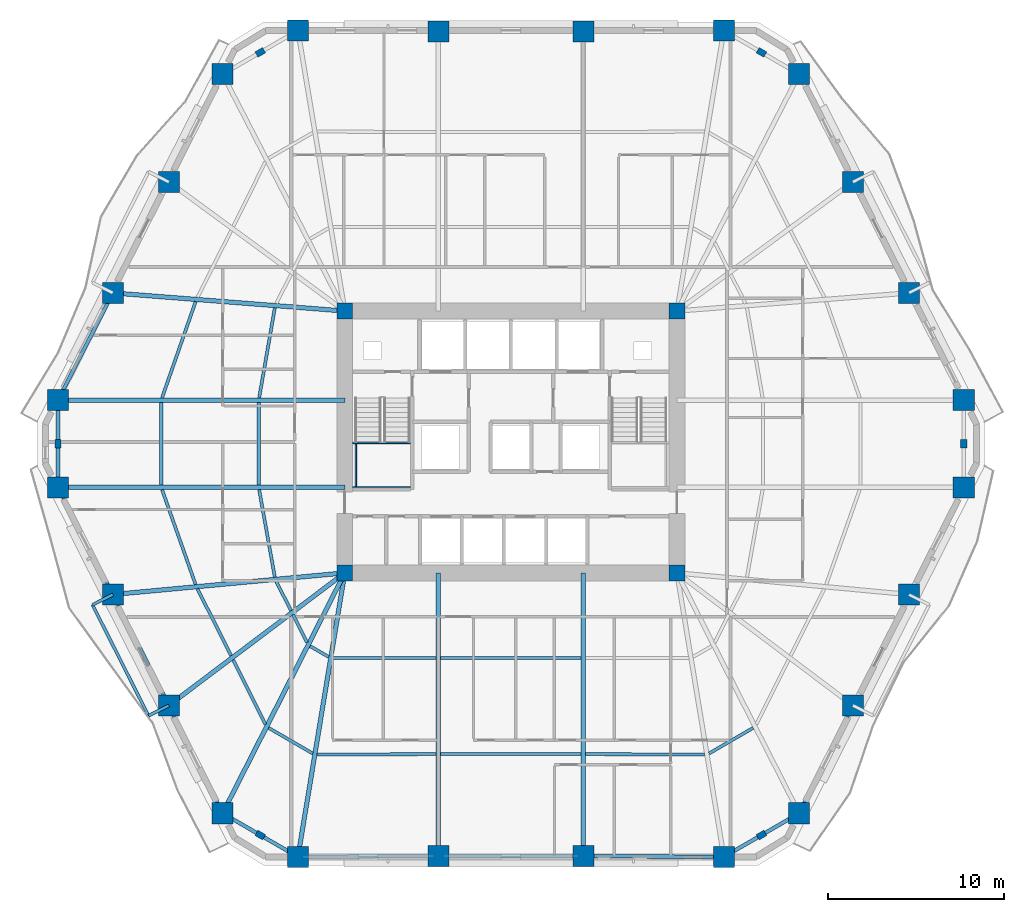
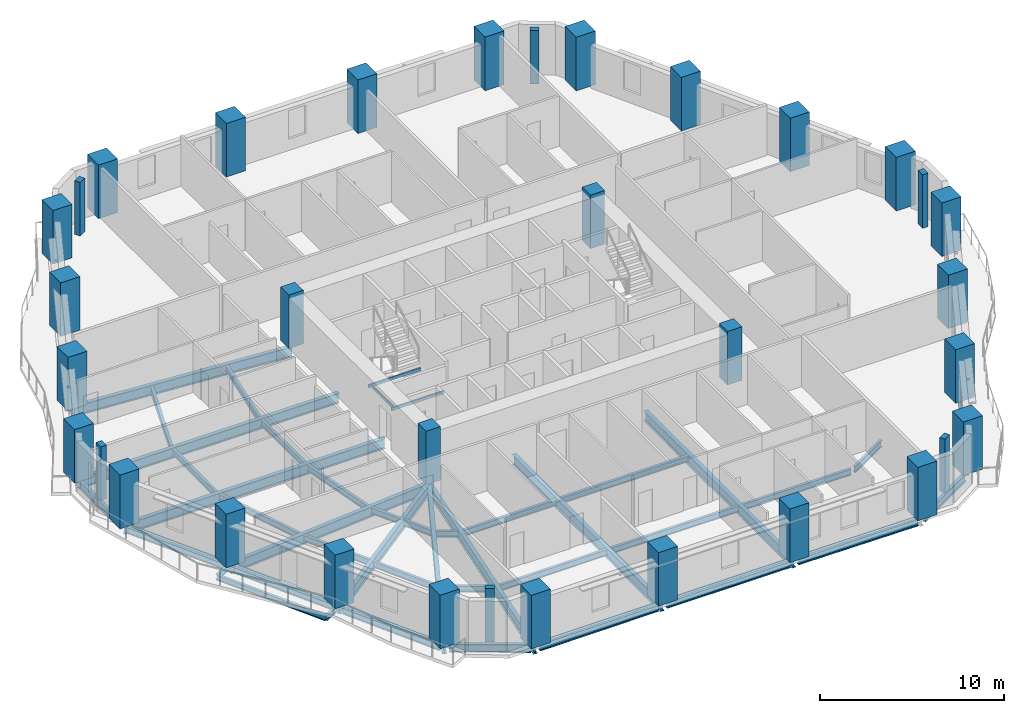
# One storey, part 1 of 14: 44 beams, 34 columns.
"""IFC4 building model written with IfcOpenShell, lengths in metres."""

from ifc_helpers import new_model, si_unit, direction, frame, origin, origin_2d, place, context, subcontext, project, spatial, rectangle, hollow_rectangle, i_section, extrude, material, material_profile, profile_set, type_object, element, save


model = new_model("IFC4")

# Units and contexts
model_context = context("Model", 3, precision=1e-05, world=origin(), true_north=direction((0.0, 1.0)))
body_context = subcontext(model_context, "Body", "Model", "MODEL_VIEW")
ifc_project = project(units=[si_unit("LENGTHUNIT", "METRE"), si_unit("AREAUNIT", "SQUARE_METRE"), si_unit("VOLUMEUNIT", "CUBIC_METRE"), si_unit("PLANEANGLEUNIT", "RADIAN"), si_unit("MASSUNIT", "GRAM", prefix="KILO")], contexts=[model_context])

# Site, building, storey
site_placement = place(None, origin())
site = spatial("IfcSite", under=ifc_project, at=site_placement, CompositionType="ELEMENT")
building_placement = place(site_placement, origin())
building = spatial("IfcBuilding", under=site, at=building_placement, Name="Cinnabar Lancet Tower", CompositionType="ELEMENT")
storey_placement = place(building_placement, frame((0.0, 0.0, 35.550048828125)))
storey = spatial("IfcBuildingStorey", under=building, at=storey_placement, Name="L08", CompositionType="ELEMENT", Elevation=35.550048828125)

# Columns
ifc_material_1 = material(Name="Concrete C80/95", Category="concrete")
ifc_material_profile_1 = material_profile(ifc_material_1, rectangle(XDim=0.89990234375, YDim=0.89990234375, at=origin_2d()), Name="RC-COL 900x900")
ifc_profile_set_1 = profile_set([ifc_material_profile_1], Name="Concrete C80/95")
column_type_1 = type_object("IfcColumnType", Name="STR-COL-CORE-900", PredefinedType="COLUMN", material=ifc_profile_set_1)
for number, where, z_axis, x_axis, name in (
    (1, (22.949951171875, 18.449951171875, 0.0), (0.0, 0.0, 1.0), (1.0, 0.0, 0.0), "L08 Core Corner Column SW"),
    (2, (41.85009765625, 18.449951171875, 0.0), (0.0, 0.0, 1.0), (1.0, 0.0, 0.0), "L08 Core Corner Column SE"),
    (3, (41.85009765625, 33.35009765625, 0.0), (0.0, 0.0, 1.0), (1.0, 0.0, 0.0), "L08 Core Corner Column NE"),
    (4, (22.949951171875, 33.35009765625, 0.0), (0.0, 0.0, 1.0), (1.0, 0.0, 0.0), "L08 Core Corner Column NW"),
):
    element("IfcColumn", number, at=place(storey_placement, frame(where, z_axis=z_axis, x_axis=x_axis)), inside=storey, type_object=column_type_1, Name=name, PredefinedType="COLUMN", context=body_context, shape_type="SweptSolid", body=[
        extrude(rectangle(XDim=0.89990234375, YDim=0.89990234375, at=origin_2d()), origin(), (0.0, 0.0, 1.0), 3.550048828125),
    ])
ifc_material_2 = material(Name="Concrete C60/75", Category="concrete")
ifc_material_profile_2 = material_profile(ifc_material_2, rectangle(XDim=0.5, YDim=0.35009765625, at=origin_2d()), Name="RC-PIL 500x350")
ifc_profile_set_2 = profile_set([ifc_material_profile_2], Name="Concrete C60/75")
column_type_2 = type_object("IfcColumnType", Name="STR-COL-PIL-500", PredefinedType="PILASTER", material=ifc_profile_set_2)
for number, where, z_axis, x_axis, name in (
    (5, (18.139892578125, 3.531005859375, 0.0), (0.0, 0.0, 1.0), (0.865195182343, -0.501435236546, 0.0), "L08 Chamfered Corner Pilaster 1"),
    (6, (46.659912109375, 3.531005859375, 0.0), (0.0, 0.0, 1.0), (0.865195182343, 0.501435236546, 0.0), "L08 Chamfered Corner Pilaster 2"),
    (7, (58.16796875, 25.800048828125, 0.0), (0.0, 0.0, 1.0), (0.0, 1.0, 0.0), "L08 Chamfered Corner Pilaster 3"),
    (8, (46.659912109375, 48.069091796875, 0.0), (0.0, 0.0, 1.0), (-0.865195182343, 0.501435236546, 0.0), "L08 Chamfered Corner Pilaster 4"),
    (9, (18.139892578125, 48.069091796875, 0.0), (0.0, 0.0, 1.0), (-0.865195182343, -0.501435236546, 0.0), "L08 Chamfered Corner Pilaster 5"),
    (10, (6.632080078125, 25.800048828125, 0.0), (0.0, 0.0, 1.0), (0.0, -1.0, 0.0), "L08 Chamfered Corner Pilaster 6"),
):
    element("IfcColumn", number, at=place(storey_placement, frame(where, z_axis=z_axis, x_axis=x_axis)), inside=storey, type_object=column_type_2, Name=name, PredefinedType="PILASTER", context=body_context, shape_type="SweptSolid", body=[
        extrude(rectangle(XDim=0.5, YDim=0.35009765625, at=origin_2d()), origin(), (0.0, 0.0, 1.0), 3.550048828125),
    ])
ifc_material_3 = material(Name="Concrete C80/95", Category="concrete")
ifc_material_profile_3 = material_profile(ifc_material_3, rectangle(XDim=1.199951171875, YDim=1.199951171875, at=origin_2d()), Name="RC-COL 1200x1200")
ifc_profile_set_3 = profile_set([ifc_material_profile_3], Name="Concrete C80/95")
column_type_3 = type_object("IfcColumnType", Name="STR-COL-TUBE-1200", PredefinedType="COLUMN", material=ifc_profile_set_3)
for number, where, z_axis, x_axis, name in (
    (11, (20.282958984375, 2.2890625, 0.0), (0.0, 0.0, 1.0), (1.0, 0.0, 0.0), "L08 Perimeter Tube Column 1"),
    (12, (28.278076171875, 2.342041015625, 0.0), (0.0, 0.0, 1.0), (1.0, 0.0, 0.0), "L08 Perimeter Tube Column 2"),
    (13, (36.52197265625, 2.342041015625, 0.0), (0.0, 0.0, 1.0), (1.0, 0.0, 0.0), "L08 Perimeter Tube Column 3"),
    (14, (44.51708984375, 2.2890625, 0.0), (0.0, 0.0, 1.0), (1.0, 0.0, 0.0), "L08 Perimeter Tube Column 4"),
    (15, (48.802978515625, 4.77294921875, 0.0), (0.0, 0.0, 1.0), (1.0, 0.0, 0.0), "L08 Perimeter Tube Column 5"),
    (16, (51.85888671875, 10.908935546875, 0.0), (0.0, 0.0, 1.0), (1.0, 0.0, 0.0), "L08 Perimeter Tube Column 6"),
    (17, (55.0458984375, 17.219970703125, 0.0), (0.0, 0.0, 1.0), (1.0, 0.0, 0.0), "L08 Perimeter Tube Column 7"),
    (18, (58.16796875, 23.31396484375, 0.0), (0.0, 0.0, 1.0), (1.0, 0.0, 0.0), "L08 Perimeter Tube Column 8"),
    (19, (58.16796875, 28.285888671875, 0.0), (0.0, 0.0, 1.0), (1.0, 0.0, 0.0), "L08 Perimeter Tube Column 9"),
    (20, (55.0458984375, 34.3798828125, 0.0), (0.0, 0.0, 1.0), (1.0, 0.0, 0.0), "L08 Perimeter Tube Column 10"),
    (21, (51.85888671875, 40.69091796875, 0.0), (0.0, 0.0, 1.0), (1.0, 0.0, 0.0), "L08 Perimeter Tube Column 11"),
    (22, (48.802978515625, 46.826904296875, 0.0), (0.0, 0.0, 1.0), (1.0, 0.0, 0.0), "L08 Perimeter Tube Column 12"),
    (23, (44.51708984375, 49.31103515625, 0.0), (0.0, 0.0, 1.0), (1.0, 0.0, 0.0), "L08 Perimeter Tube Column 13"),
    (24, (36.52197265625, 49.258056640625, 0.0), (0.0, 0.0, 1.0), (1.0, 0.0, 0.0), "L08 Perimeter Tube Column 14"),
    (25, (28.278076171875, 49.258056640625, 0.0), (0.0, 0.0, 1.0), (1.0, 0.0, 0.0), "L08 Perimeter Tube Column 15"),
    (26, (20.282958984375, 49.31103515625, 0.0), (0.0, 0.0, 1.0), (1.0, 0.0, 0.0), "L08 Perimeter Tube Column 16"),
    (27, (15.9970703125, 46.826904296875, 0.0), (0.0, 0.0, 1.0), (1.0, 0.0, 0.0), "L08 Perimeter Tube Column 17"),
    (28, (12.94091796875, 40.69091796875, 0.0), (0.0, 0.0, 1.0), (1.0, 0.0, 0.0), "L08 Perimeter Tube Column 18"),
    (29, (9.75390625, 34.3798828125, 0.0), (0.0, 0.0, 1.0), (1.0, 0.0, 0.0), "L08 Perimeter Tube Column 19"),
    (30, (6.632080078125, 28.285888671875, 0.0), (0.0, 0.0, 1.0), (1.0, 0.0, 0.0), "L08 Perimeter Tube Column 20"),
    (31, (6.632080078125, 23.31396484375, 0.0), (0.0, 0.0, 1.0), (1.0, 0.0, 0.0), "L08 Perimeter Tube Column 21"),
    (32, (9.75390625, 17.219970703125, 0.0), (0.0, 0.0, 1.0), (1.0, 0.0, 0.0), "L08 Perimeter Tube Column 22"),
    (33, (12.94091796875, 10.908935546875, 0.0), (0.0, 0.0, 1.0), (1.0, 0.0, 0.0), "L08 Perimeter Tube Column 23"),
    (34, (15.9970703125, 4.77294921875, 0.0), (0.0, 0.0, 1.0), (1.0, 0.0, 0.0), "L08 Perimeter Tube Column 24"),
):
    element("IfcColumn", number, at=place(storey_placement, frame(where, z_axis=z_axis, x_axis=x_axis)), inside=storey, type_object=column_type_3, Name=name, PredefinedType="COLUMN", context=body_context, shape_type="SweptSolid", body=[
        extrude(rectangle(XDim=1.199951171875, YDim=1.199951171875, at=origin_2d()), origin(), (0.0, 0.0, 1.0), 3.550048828125),
    ])

# Beams
ifc_material_4 = material(Name="Structural steel S355", Category="steel")
ifc_material_profile_4 = material_profile(ifc_material_4, i_section(OverallWidth=0.177978515625, OverallDepth=0.406494140625, WebThickness=0.0078125, FlangeThickness=0.0126953125, FilletRadius=0.01025390625, at=origin_2d()), Name="UKB 406x178x60")
ifc_profile_set_4 = profile_set([ifc_material_profile_4], Name="Structural steel S355")
beam_type_1 = type_object("IfcBeamType", Name="STR-BM-JST-406", PredefinedType="JOIST", material=ifc_profile_set_4)
beam_1_placement = place(storey_placement, frame((12.551025390625, 23.18701171875, -0.423095703125), z_axis=(0.333384030214, -0.942791115995, 0.0), x_axis=(0.942791115995, 0.333384030214, 0.0)))
element("IfcBeam", 35, at=beam_1_placement, inside=storey, type_object=beam_type_1, Name="L08 Secondary Floor Joist 1", PredefinedType="JOIST", context=body_context, shape_type="SweptSolid", body=[
    extrude(i_section(OverallWidth=0.177978515625, OverallDepth=0.406494140625, WebThickness=0.0078125, FlangeThickness=0.0126953125, FilletRadius=0.01025390625, at=origin_2d()), origin(), (0.0, 0.0, 1.0), 5.728759765625),
])
beam_2_placement = place(storey_placement, frame((18.076904296875, 23.18701171875, -0.423095703125), z_axis=(0.176294913937, -0.984337393031, 0.0), x_axis=(0.984337393031, 0.176294913937, 0.0)))
element("IfcBeam", 36, at=beam_2_placement, inside=storey, type_object=beam_type_1, Name="L08 Secondary Floor Joist 2", PredefinedType="JOIST", context=body_context, shape_type="SweptSolid", body=[
    extrude(i_section(OverallWidth=0.177978515625, OverallDepth=0.406494140625, WebThickness=0.0078125, FlangeThickness=0.0126953125, FilletRadius=0.01025390625, at=origin_2d()), origin(), (0.0, 0.0, 1.0), 5.060302734375),
])
beam_3_placement = place(storey_placement, frame((14.56591796875, 17.541015625, -0.423095703125), z_axis=(0.450809572228, -0.892620148545, 0.0), x_axis=(0.892620148545, 0.450809572228, 0.0)))
element("IfcBeam", 37, at=beam_3_placement, inside=storey, type_object=beam_type_1, Name="L08 Secondary Floor Joist 3", PredefinedType="JOIST", context=body_context, shape_type="SweptSolid", body=[
    extrude(i_section(OverallWidth=0.177978515625, OverallDepth=0.406494140625, WebThickness=0.0078125, FlangeThickness=0.0126953125, FilletRadius=0.01025390625, at=origin_2d()), origin(), (0.0, 0.0, 1.0), 4.25927734375),
])
beam_4_placement = place(storey_placement, frame((19.052978515625, 17.958984375, -0.423095703125), z_axis=(0.450632179195, -0.892709717139, 0.0), x_axis=(0.892709717139, 0.450632179195, 0.0)))
element("IfcBeam", 38, at=beam_4_placement, inside=storey, type_object=beam_type_1, Name="L08 Secondary Floor Joist 4", PredefinedType="JOIST", context=body_context, shape_type="SweptSolid", body=[
    extrude(i_section(OverallWidth=0.177978515625, OverallDepth=0.406494140625, WebThickness=0.0078125, FlangeThickness=0.0126953125, FilletRadius=0.01025390625, at=origin_2d()), origin(), (0.0, 0.0, 1.0), 1.85498046875),
])
beam_5_placement = place(storey_placement, frame((16.60205078125, 13.508056640625, -0.423095703125), z_axis=(0.445807799253, -0.895128709251, 0.0), x_axis=(0.895128709251, 0.445807799253, 0.0)))
element("IfcBeam", 39, at=beam_5_placement, inside=storey, type_object=beam_type_1, Name="L08 Secondary Floor Joist 5", PredefinedType="JOIST", context=body_context, shape_type="SweptSolid", body=[
    extrude(i_section(OverallWidth=0.177978515625, OverallDepth=0.406494140625, WebThickness=0.0078125, FlangeThickness=0.0126953125, FilletRadius=0.01025390625, at=origin_2d()), origin(), (0.0, 0.0, 1.0), 4.10009765625),
])
beam_6_placement = place(storey_placement, frame((20.0048828125, 16.072021484375, -0.423095703125), z_axis=(0.445888683384, -0.895088421347, 0.0), x_axis=(0.895088421347, 0.445888683384, 0.0)))
element("IfcBeam", 40, at=beam_6_placement, inside=storey, type_object=beam_type_1, Name="L08 Secondary Floor Joist 6", PredefinedType="JOIST", context=body_context, shape_type="SweptSolid", body=[
    extrude(i_section(OverallWidth=0.177978515625, OverallDepth=0.406494140625, WebThickness=0.0078125, FlangeThickness=0.0126953125, FilletRadius=0.01025390625, at=origin_2d()), origin(), (0.0, 0.0, 1.0), 1.76953125),
])
beam_7_placement = place(storey_placement, frame((18.610107421875, 9.633056640625, -0.423095703125), z_axis=(0.865209684948, -0.501410212373, 0.0), x_axis=(0.501410212373, 0.865209684948, 0.0)))
element("IfcBeam", 41, at=beam_7_placement, inside=storey, type_object=beam_type_1, Name="L08 Secondary Floor Joist 7", PredefinedType="JOIST", context=body_context, shape_type="SweptSolid", body=[
    extrude(i_section(OverallWidth=0.177978515625, OverallDepth=0.406494140625, WebThickness=0.0078125, FlangeThickness=0.0126953125, FilletRadius=0.01025390625, at=origin_2d()), origin(), (0.0, 0.0, 1.0), 2.90771484375),
])
beam_8_placement = place(storey_placement, frame((20.97412109375, 14.282958984375, -0.423095703125), z_axis=(0.865417177575, -0.50105200205, 0.0), x_axis=(0.50105200205, 0.865417177575, 0.0)))
element("IfcBeam", 42, at=beam_8_placement, inside=storey, type_object=beam_type_1, Name="L08 Secondary Floor Joist 8", PredefinedType="JOIST", context=body_context, shape_type="SweptSolid", body=[
    extrude(i_section(OverallWidth=0.177978515625, OverallDepth=0.406494140625, WebThickness=0.0078125, FlangeThickness=0.0126953125, FilletRadius=0.01025390625, at=origin_2d()), origin(), (0.0, 0.0, 1.0), 1.223388671875),
])
beam_9_placement = place(storey_placement, frame((21.3720703125, 8.10791015625, -0.423095703125), z_axis=(0.999988870422, 0.004717947923, 0.0), x_axis=(-0.004717947923, 0.999988870422, 0.0)))
element("IfcBeam", 43, at=beam_9_placement, inside=storey, type_object=beam_type_1, Name="L08 Secondary Floor Joist 9", PredefinedType="JOIST", context=body_context, shape_type="SweptSolid", body=[
    extrude(i_section(OverallWidth=0.177978515625, OverallDepth=0.406494140625, WebThickness=0.0078125, FlangeThickness=0.0126953125, FilletRadius=0.01025390625, at=origin_2d()), origin(), (0.0, 0.0, 1.0), 6.77880859375),
])
beam_10_placement = place(storey_placement, frame((22.279052734375, 13.60205078125, -0.423095703125), z_axis=(0.999996783665, 0.00253626892, 0.0), x_axis=(-0.00253626892, 0.999996783665, 0.0)))
element("IfcBeam", 44, at=beam_10_placement, inside=storey, type_object=beam_type_1, Name="L08 Secondary Floor Joist 10", PredefinedType="JOIST", context=body_context, shape_type="SweptSolid", body=[
    extrude(i_section(OverallWidth=0.177978515625, OverallDepth=0.406494140625, WebThickness=0.0078125, FlangeThickness=0.0126953125, FilletRadius=0.01025390625, at=origin_2d()), origin(), (0.0, 0.0, 1.0), 5.871826171875),
])
for number, where, z_axis, x_axis, name in (
    (45, (28.405029296875, 8.14111328125, -0.423095703125), (1.0, 0.0, 0.0), (0.0, 1.0, 0.0), "L08 Secondary Floor Joist 11"),
    (46, (28.405029296875, 13.617919921875, -0.423095703125), (1.0, 0.0, 0.0), (0.0, 1.0, 0.0), "L08 Secondary Floor Joist 12"),
):
    element("IfcBeam", number, at=place(storey_placement, frame(where, z_axis=z_axis, x_axis=x_axis)), inside=storey, type_object=beam_type_1, Name=name, PredefinedType="JOIST", context=body_context, shape_type="SweptSolid", body=[
        extrude(i_section(OverallWidth=0.177978515625, OverallDepth=0.406494140625, WebThickness=0.0078125, FlangeThickness=0.0126953125, FilletRadius=0.01025390625, at=origin_2d()), origin(), (0.0, 0.0, 1.0), 7.989990234375),
    ])
beam_11_placement = place(storey_placement, frame((36.64892578125, 8.139892578125, -0.423095703125), z_axis=(0.999988871223, -0.004717778015, 0.0), x_axis=(0.004717778015, 0.999988871223, 0.0)))
element("IfcBeam", 47, at=beam_11_placement, inside=storey, type_object=beam_type_1, Name="L08 Secondary Floor Joist 13", PredefinedType="JOIST", context=body_context, shape_type="SweptSolid", body=[
    extrude(i_section(OverallWidth=0.177978515625, OverallDepth=0.406494140625, WebThickness=0.0078125, FlangeThickness=0.0126953125, FilletRadius=0.01025390625, at=origin_2d()), origin(), (0.0, 0.0, 1.0), 6.779052734375),
])
beam_12_placement = place(storey_placement, frame((43.674072265625, 8.175048828125, -0.423095703125), z_axis=(0.865209684948, 0.501410212373, 0.0), x_axis=(-0.501410212373, 0.865209684948, 0.0)))
element("IfcBeam", 48, at=beam_12_placement, inside=storey, type_object=beam_type_1, Name="L08 Secondary Floor Joist 15", PredefinedType="JOIST", context=body_context, shape_type="SweptSolid", body=[
    extrude(i_section(OverallWidth=0.177978515625, OverallDepth=0.406494140625, WebThickness=0.0078125, FlangeThickness=0.0126953125, FilletRadius=0.01025390625, at=origin_2d()), origin(), (0.0, 0.0, 1.0), 2.90771484375),
])
beam_13_placement = place(storey_placement, frame((14.4609375, 33.885009765625, -0.423095703125), z_axis=(-0.329541584143, -0.944141061664, 0.0), x_axis=(0.944141061664, -0.329541584143, 0.0)))
element("IfcBeam", 49, at=beam_13_placement, inside=storey, type_object=beam_type_1, Name="L08 Secondary Floor Joist 45", PredefinedType="JOIST", context=body_context, shape_type="SweptSolid", body=[
    extrude(i_section(OverallWidth=0.177978515625, OverallDepth=0.406494140625, WebThickness=0.0078125, FlangeThickness=0.0126953125, FilletRadius=0.01025390625, at=origin_2d()), origin(), (0.0, 0.0, 1.0), 5.795654296875),
])
beam_14_placement = place(storey_placement, frame((18.968994140625, 33.532958984375, -0.423095703125), z_axis=(-0.17165440437, -0.985157228802, 0.0), x_axis=(0.985157228802, -0.17165440437, 0.0)))
element("IfcBeam", 50, at=beam_14_placement, inside=storey, type_object=beam_type_1, Name="L08 Secondary Floor Joist 46", PredefinedType="JOIST", context=body_context, shape_type="SweptSolid", body=[
    extrude(i_section(OverallWidth=0.177978515625, OverallDepth=0.406494140625, WebThickness=0.0078125, FlangeThickness=0.0126953125, FilletRadius=0.01025390625, at=origin_2d()), origin(), (0.0, 0.0, 1.0), 5.197021484375),
])
for number, where, z_axis, x_axis, name in (
    (51, (12.506103515625, 28.158935546875, -0.423095703125), (0.0, -1.0, 0.0), (1.0, 0.0, 0.0), "L08 Secondary Floor Joist 47"),
    (52, (18.054931640625, 28.158935546875, -0.423095703125), (0.0, -1.0, 0.0), (1.0, 0.0, 0.0), "L08 Secondary Floor Joist 48"),
):
    element("IfcBeam", number, at=place(storey_placement, frame(where, z_axis=z_axis, x_axis=x_axis)), inside=storey, type_object=beam_type_1, Name=name, PredefinedType="JOIST", context=body_context, shape_type="SweptSolid", body=[
        extrude(i_section(OverallWidth=0.177978515625, OverallDepth=0.406494140625, WebThickness=0.0078125, FlangeThickness=0.0126953125, FilletRadius=0.01025390625, at=origin_2d()), origin(), (0.0, 0.0, 1.0), 4.718017578125),
    ])
ifc_material_5 = material(Name="Structural steel S355", Category="steel")
ifc_material_profile_5 = material_profile(ifc_material_5, hollow_rectangle(XDim=0.10009765625, YDim=0.199951171875, WallThickness=0.008056640625, InnerFilletRadius=0.00390625, OuterFilletRadius=0.011962890625, at=origin_2d()), Name="RHS 200x100x8")
ifc_profile_set_5 = profile_set([ifc_material_profile_5], Name="Structural steel S355")
beam_type_2 = type_object("IfcBeamType", Name="STR-BM-LND-203", PredefinedType="BEAM", material=ifc_profile_set_5)
for number, where, z_axis, x_axis, name in (
    (53, (23.39990234375, 23.330078125, 1.474853515625), (1.0, 0.0, 0.0), (0.0, 1.0, 0.0), "L08 ST-1-L08 Landing Support Beam S"),
    (54, (23.39990234375, 25.844970703125, 1.474853515625), (1.0, 0.0, 0.0), (0.0, 1.0, 0.0), "L08 ST-1-L08 Landing Support Beam N"),
):
    element("IfcBeam", number, at=place(storey_placement, frame(where, z_axis=z_axis, x_axis=x_axis)), inside=storey, type_object=beam_type_2, Name=name, PredefinedType="BEAM", context=body_context, shape_type="SweptSolid", body=[
        extrude(hollow_rectangle(XDim=0.10009765625, YDim=0.199951171875, WallThickness=0.008056640625, InnerFilletRadius=0.00390625, OuterFilletRadius=0.011962890625, at=origin_2d()), origin(), (0.0, 0.0, 1.0), 3.280029296875),
    ])
beam_15_placement = place(storey_placement, frame((23.580078125, 23.3798828125, 1.474853515625), z_axis=(0.0, 1.0, 0.0), x_axis=(-1.0, 0.0, 0.0)))
element("IfcBeam", 55, at=beam_15_placement, inside=storey, type_object=beam_type_2, Name="L08 ST-1-L08 Landing Side Trimmer Beam", PredefinedType="BEAM", context=body_context, shape_type="SweptSolid", body=[
    extrude(hollow_rectangle(XDim=0.10009765625, YDim=0.199951171875, WallThickness=0.008056640625, InnerFilletRadius=0.00390625, OuterFilletRadius=0.011962890625, at=origin_2d()), origin(), (0.0, 0.0, 1.0), 2.4150390625),
])
ifc_material_6 = material(Name="Structural steel S355", Category="steel")
ifc_material_profile_6 = material_profile(ifc_material_6, i_section(OverallWidth=0.209228515625, OverallDepth=0.533203125, WebThickness=0.010009765625, FlangeThickness=0.015625, FilletRadius=0.0126953125, at=origin_2d()), Name="UKB 533x210x92")
ifc_profile_set_6 = profile_set([ifc_material_profile_6], Name="Structural steel S355")
beam_type_3 = type_object("IfcBeamType", Name="STR-BM-SPN-533", PredefinedType="SPANDREL", material=ifc_profile_set_6)
beam_16_placement = place(storey_placement, frame((20.532958984375, 2.291015625, -0.487060546875), z_axis=(0.99997856757, 0.006547090947, 0.0), x_axis=(-0.006547090947, 0.99997856757, 0.0)))
element("IfcBeam", 56, at=beam_16_placement, inside=storey, type_object=beam_type_3, Name="L08 Perimeter Spandrel 1", PredefinedType="SPANDREL", context=body_context, shape_type="SweptSolid", body=[
    extrude(i_section(OverallWidth=0.209228515625, OverallDepth=0.533203125, WebThickness=0.010009765625, FlangeThickness=0.015625, FilletRadius=0.0126953125, at=origin_2d()), origin(), (0.0, 0.0, 1.0), 7.495361328125),
])
beam_17_placement = place(storey_placement, frame((28.528076171875, 2.342041015625, -0.487060546875), z_axis=(1.0, 0.0, 0.0), x_axis=(0.0, 1.0, 0.0)))
element("IfcBeam", 57, at=beam_17_placement, inside=storey, type_object=beam_type_3, Name="L08 Perimeter Spandrel 2", PredefinedType="SPANDREL", context=body_context, shape_type="SweptSolid", body=[
    extrude(i_section(OverallWidth=0.209228515625, OverallDepth=0.533203125, WebThickness=0.010009765625, FlangeThickness=0.015625, FilletRadius=0.0126953125, at=origin_2d()), origin(), (0.0, 0.0, 1.0), 7.743896484375),
])
beam_18_placement = place(storey_placement, frame((36.77197265625, 2.340087890625, -0.487060546875), z_axis=(0.99997856757, -0.006547090947, 0.0), x_axis=(0.006547090947, 0.99997856757, 0.0)))
element("IfcBeam", 58, at=beam_18_placement, inside=storey, type_object=beam_type_3, Name="L08 Perimeter Spandrel 3", PredefinedType="SPANDREL", context=body_context, shape_type="SweptSolid", body=[
    extrude(i_section(OverallWidth=0.209228515625, OverallDepth=0.533203125, WebThickness=0.010009765625, FlangeThickness=0.015625, FilletRadius=0.0126953125, at=origin_2d()), origin(), (0.0, 0.0, 1.0), 7.495361328125),
])
beam_19_placement = place(storey_placement, frame((44.73291015625, 2.4140625, -0.487060546875), z_axis=(0.865171017323, 0.501476929463, 0.0), x_axis=(-0.501476929463, 0.865171017323, 0.0)))
element("IfcBeam", 59, at=beam_19_placement, inside=storey, type_object=beam_type_3, Name="L08 Perimeter Spandrel 4", PredefinedType="SPANDREL", context=body_context, shape_type="SweptSolid", body=[
    extrude(i_section(OverallWidth=0.209228515625, OverallDepth=0.533203125, WebThickness=0.010009765625, FlangeThickness=0.015625, FilletRadius=0.0126953125, at=origin_2d()), origin(), (0.0, 0.0, 1.0), 4.45458984375),
])
beam_20_placement = place(storey_placement, frame((48.9140625, 4.9970703125, -0.487060546875), z_axis=(0.445953050023, 0.89505635419, 0.0), x_axis=(-0.89505635419, 0.445953050023, 0.0)))
element("IfcBeam", 60, at=beam_20_placement, inside=storey, type_object=beam_type_3, Name="L08 Perimeter Spandrel 5", PredefinedType="SPANDREL", context=body_context, shape_type="SweptSolid", body=[
    extrude(i_section(OverallWidth=0.209228515625, OverallDepth=0.533203125, WebThickness=0.010009765625, FlangeThickness=0.015625, FilletRadius=0.0126953125, at=origin_2d()), origin(), (0.0, 0.0, 1.0), 6.35498046875),
])
beam_21_placement = place(storey_placement, frame((9.639892578125, 34.156982421875, -0.487060546875), z_axis=(-0.455994051912, -0.889982822655, 0.0), x_axis=(0.889982822655, -0.455994051912, 0.0)))
element("IfcBeam", 61, at=beam_21_placement, inside=storey, type_object=beam_type_3, Name="L08 Perimeter Spandrel 19", PredefinedType="SPANDREL", context=body_context, shape_type="SweptSolid", body=[
    extrude(i_section(OverallWidth=0.209228515625, OverallDepth=0.533203125, WebThickness=0.010009765625, FlangeThickness=0.015625, FilletRadius=0.0126953125, at=origin_2d()), origin(), (0.0, 0.0, 1.0), 6.34619140625),
])
beam_22_placement = place(storey_placement, frame((6.632080078125, 28.035888671875, -0.487060546875), z_axis=(0.0, -1.0, 0.0), x_axis=(1.0, 0.0, 0.0)))
element("IfcBeam", 62, at=beam_22_placement, inside=storey, type_object=beam_type_3, Name="L08 Perimeter Spandrel 20", PredefinedType="SPANDREL", context=body_context, shape_type="SweptSolid", body=[
    extrude(i_section(OverallWidth=0.209228515625, OverallDepth=0.533203125, WebThickness=0.010009765625, FlangeThickness=0.015625, FilletRadius=0.0126953125, at=origin_2d()), origin(), (0.0, 0.0, 1.0), 4.471923828125),
])
beam_23_placement = place(storey_placement, frame((6.74609375, 23.091064453125, -0.487060546875), z_axis=(0.455994051912, -0.889982822655, 0.0), x_axis=(0.889982822655, 0.455994051912, 0.0)))
element("IfcBeam", 63, at=beam_23_placement, inside=storey, type_object=beam_type_3, Name="L08 Perimeter Spandrel 21", PredefinedType="SPANDREL", context=body_context, shape_type="SweptSolid", body=[
    extrude(i_section(OverallWidth=0.209228515625, OverallDepth=0.533203125, WebThickness=0.010009765625, FlangeThickness=0.015625, FilletRadius=0.0126953125, at=origin_2d()), origin(), (0.0, 0.0, 1.0), 6.34619140625),
])
beam_24_placement = place(storey_placement, frame((9.866943359375, 16.9970703125, -0.487060546875), z_axis=(0.450673532306, -0.892688841242, 0.0), x_axis=(0.892688841242, 0.450673532306, 0.0)))
element("IfcBeam", 64, at=beam_24_placement, inside=storey, type_object=beam_type_3, Name="L08 Perimeter Spandrel 22", PredefinedType="SPANDREL", context=body_context, shape_type="SweptSolid", body=[
    extrude(i_section(OverallWidth=0.209228515625, OverallDepth=0.533203125, WebThickness=0.010009765625, FlangeThickness=0.015625, FilletRadius=0.0126953125, at=origin_2d()), origin(), (0.0, 0.0, 1.0), 6.570068359375),
])
beam_25_placement = place(storey_placement, frame((13.052001953125, 10.68505859375, -0.487060546875), z_axis=(0.445953050023, -0.89505635419, 0.0), x_axis=(0.89505635419, 0.445953050023, 0.0)))
element("IfcBeam", 65, at=beam_25_placement, inside=storey, type_object=beam_type_3, Name="L08 Perimeter Spandrel 23", PredefinedType="SPANDREL", context=body_context, shape_type="SweptSolid", body=[
    extrude(i_section(OverallWidth=0.209228515625, OverallDepth=0.533203125, WebThickness=0.010009765625, FlangeThickness=0.015625, FilletRadius=0.0126953125, at=origin_2d()), origin(), (0.0, 0.0, 1.0), 6.35498046875),
])
beam_26_placement = place(storey_placement, frame((16.212890625, 4.64794921875, -0.487060546875), z_axis=(0.865171017323, -0.501476929463, 0.0), x_axis=(0.501476929463, 0.865171017323, 0.0)))
element("IfcBeam", 66, at=beam_26_placement, inside=storey, type_object=beam_type_3, Name="L08 Perimeter Spandrel 24", PredefinedType="SPANDREL", context=body_context, shape_type="SweptSolid", body=[
    extrude(i_section(OverallWidth=0.209228515625, OverallDepth=0.533203125, WebThickness=0.010009765625, FlangeThickness=0.015625, FilletRadius=0.0126953125, at=origin_2d()), origin(), (0.0, 0.0, 1.0), 4.45458984375),
])
ifc_material_7 = material(Name="Structural steel S355", Category="steel")
ifc_material_profile_7 = material_profile(ifc_material_7, i_section(OverallWidth=0.253662109375, OverallDepth=0.68359375, WebThickness=0.012451171875, FlangeThickness=0.01904296875, FilletRadius=0.01513671875, at=origin_2d()), Name="UKB 686x254x140")
ifc_profile_set_7 = profile_set([ifc_material_profile_7], Name="Structural steel S355")
beam_type_4 = type_object("IfcBeamType", Name="STR-BM-UKB686-140", PredefinedType="BEAM", material=ifc_profile_set_7)
beam_27_placement = place(storey_placement, frame((12.94091796875, 10.908935546875, -0.56201171875), z_axis=(0.798686588468, 0.601747233812, 0.0), x_axis=(-0.601747233812, 0.798686588468, 0.0)))
element("IfcBeam", 67, at=beam_27_placement, inside=storey, type_object=beam_type_4, Name="L08 Corner Collector Girder 1", PredefinedType="BEAM", context=body_context, shape_type="SweptSolid", body=[
    extrude(i_section(OverallWidth=0.253662109375, OverallDepth=0.68359375, WebThickness=0.012451171875, FlangeThickness=0.01904296875, FilletRadius=0.01513671875, at=origin_2d()), origin(), (0.0, 0.0, 1.0), 12.531982421875),
])
beam_28_placement = place(storey_placement, frame((20.282958984375, 2.2890625, -0.56201171875), z_axis=(0.162825264118, 0.986654921117, 0.0), x_axis=(-0.986654921117, 0.162825264118, 0.0)))
element("IfcBeam", 68, at=beam_28_placement, inside=storey, type_object=beam_type_4, Name="L08 Primary Floor Girder 1", PredefinedType="BEAM", context=body_context, shape_type="SweptSolid", body=[
    extrude(i_section(OverallWidth=0.253662109375, OverallDepth=0.68359375, WebThickness=0.012451171875, FlangeThickness=0.01904296875, FilletRadius=0.01513671875, at=origin_2d()), origin(), (0.0, 0.0, 1.0), 16.37939453125),
])
for number, where, z_axis, x_axis, name in (
    (69, (28.278076171875, 2.342041015625, -0.56201171875), (0.0, 1.0, 0.0), (-1.0, 0.0, 0.0), "L08 Primary Floor Girder 2"),
    (70, (36.52197265625, 2.342041015625, -0.56201171875), (0.0, 1.0, 0.0), (-1.0, 0.0, 0.0), "L08 Primary Floor Girder 3"),
):
    element("IfcBeam", number, at=place(storey_placement, frame(where, z_axis=z_axis, x_axis=x_axis)), inside=storey, type_object=beam_type_4, Name=name, PredefinedType="BEAM", context=body_context, shape_type="SweptSolid", body=[
        extrude(i_section(OverallWidth=0.253662109375, OverallDepth=0.68359375, WebThickness=0.012451171875, FlangeThickness=0.01904296875, FilletRadius=0.01513671875, at=origin_2d()), origin(), (0.0, 0.0, 1.0), 16.10791015625),
    ])
beam_29_placement = place(storey_placement, frame((9.75390625, 34.3798828125, -0.56201171875), z_axis=(0.99696891848, -0.077800871365, 0.0), x_axis=(0.077800871365, 0.99696891848, 0.0)))
element("IfcBeam", 71, at=beam_29_placement, inside=storey, type_object=beam_type_4, Name="L08 Primary Floor Girder 19", PredefinedType="BEAM", context=body_context, shape_type="SweptSolid", body=[
    extrude(i_section(OverallWidth=0.253662109375, OverallDepth=0.68359375, WebThickness=0.012451171875, FlangeThickness=0.01904296875, FilletRadius=0.01513671875, at=origin_2d()), origin(), (0.0, 0.0, 1.0), 13.236083984375),
])
for number, where, z_axis, x_axis, name in (
    (72, (6.632080078125, 28.285888671875, -0.56201171875), (1.0, 0.0, 0.0), (0.0, 1.0, 0.0), "L08 Primary Floor Girder 20"),
    (73, (6.632080078125, 23.31396484375, -0.56201171875), (1.0, 0.0, 0.0), (0.0, 1.0, 0.0), "L08 Primary Floor Girder 21"),
):
    element("IfcBeam", number, at=place(storey_placement, frame(where, z_axis=z_axis, x_axis=x_axis)), inside=storey, type_object=beam_type_4, Name=name, PredefinedType="BEAM", context=body_context, shape_type="SweptSolid", body=[
        extrude(i_section(OverallWidth=0.253662109375, OverallDepth=0.68359375, WebThickness=0.012451171875, FlangeThickness=0.01904296875, FilletRadius=0.01513671875, at=origin_2d()), origin(), (0.0, 0.0, 1.0), 16.31787109375),
    ])
beam_30_placement = place(storey_placement, frame((9.75390625, 17.219970703125, -0.56201171875), z_axis=(0.995684210255, 0.092805998987, 0.0), x_axis=(-0.092805998987, 0.995684210255, 0.0)))
element("IfcBeam", 74, at=beam_30_placement, inside=storey, type_object=beam_type_4, Name="L08 Primary Floor Girder 22", PredefinedType="BEAM", context=body_context, shape_type="SweptSolid", body=[
    extrude(i_section(OverallWidth=0.253662109375, OverallDepth=0.68359375, WebThickness=0.012451171875, FlangeThickness=0.01904296875, FilletRadius=0.01513671875, at=origin_2d()), origin(), (0.0, 0.0, 1.0), 13.253173828125),
])
beam_31_placement = place(storey_placement, frame((15.9970703125, 4.77294921875, -0.56201171875), z_axis=(0.453167599586, 0.89142533433, 0.0), x_axis=(-0.89142533433, 0.453167599586, 0.0)))
element("IfcBeam", 75, at=beam_31_placement, inside=storey, type_object=beam_type_4, Name="L08 Primary Floor Girder 24", PredefinedType="BEAM", context=body_context, shape_type="SweptSolid", body=[
    extrude(i_section(OverallWidth=0.253662109375, OverallDepth=0.68359375, WebThickness=0.012451171875, FlangeThickness=0.01904296875, FilletRadius=0.01513671875, at=origin_2d()), origin(), (0.0, 0.0, 1.0), 15.3427734375),
])
ifc_material_8 = material(Name="Structural steel S355", Category="steel")
ifc_material_profile_8 = material_profile(ifc_material_8, i_section(OverallWidth=0.17138671875, OverallDepth=0.35498046875, WebThickness=0.00732421875, FlangeThickness=0.011474609375, FilletRadius=0.01025390625, at=origin_2d()), Name="UKB 356x171x51")
ifc_profile_set_8 = profile_set([ifc_material_profile_8], Name="Structural steel S355")
beam_type_5 = type_object("IfcBeamType", Name="STR-BM-WAV-OUT", PredefinedType="BEAM", material=ifc_profile_set_8)
for number, where, z_axis, x_axis, name in (
    (76, (9.75390625, 17.219970703125, -0.39794921875), (-0.89227592947, -0.451490493464, 0.0), (0.451490493464, -0.89227592947, 0.0), "L08 Face 6 Balcony Outlooker A"),
    (77, (12.94091796875, 10.908935546875, -0.39794921875), (-0.89227592947, -0.451490493464, 0.0), (0.451490493464, -0.89227592947, 0.0), "L08 Face 6 Balcony Outlooker B"),
):
    element("IfcBeam", number, at=place(storey_placement, frame(where, z_axis=z_axis, x_axis=x_axis)), inside=storey, type_object=beam_type_5, Name=name, PredefinedType="BEAM", context=body_context, shape_type="SweptSolid", body=[
        extrude(i_section(OverallWidth=0.17138671875, OverallDepth=0.35498046875, WebThickness=0.00732421875, FlangeThickness=0.011474609375, FilletRadius=0.01025390625, at=origin_2d()), origin(), (0.0, 0.0, 1.0), 1.300048828125),
    ])
ifc_material_9 = material(Name="Structural steel S355", Category="steel")
ifc_material_profile_9 = material_profile(ifc_material_9, i_section(OverallWidth=0.17138671875, OverallDepth=0.35498046875, WebThickness=0.00732421875, FlangeThickness=0.011474609375, FilletRadius=0.01025390625, at=origin_2d()), Name="UKB 356x171x51")
ifc_profile_set_9 = profile_set([ifc_material_profile_9], Name="Structural steel S355")
beam_type_6 = type_object("IfcBeamType", Name="STR-BM-WAV-TRIM", PredefinedType="SPANDREL", material=ifc_profile_set_9)
beam_32_placement = place(storey_placement, frame((8.593994140625, 16.633056640625, -0.39794921875), z_axis=(0.450773692627, -0.892638268301, 0.0), x_axis=(0.892638268301, 0.450773692627, 0.0)))
element("IfcBeam", 78, at=beam_32_placement, inside=storey, type_object=beam_type_6, Name="L08 Face 6 Balcony Edge Trimmer", PredefinedType="SPANDREL", context=body_context, shape_type="SweptSolid", body=[
    extrude(i_section(OverallWidth=0.17138671875, OverallDepth=0.35498046875, WebThickness=0.00732421875, FlangeThickness=0.011474609375, FilletRadius=0.01025390625, at=origin_2d()), origin(), (0.0, 0.0, 1.0), 7.070068359375),
])

save(model, "model.ifc")
